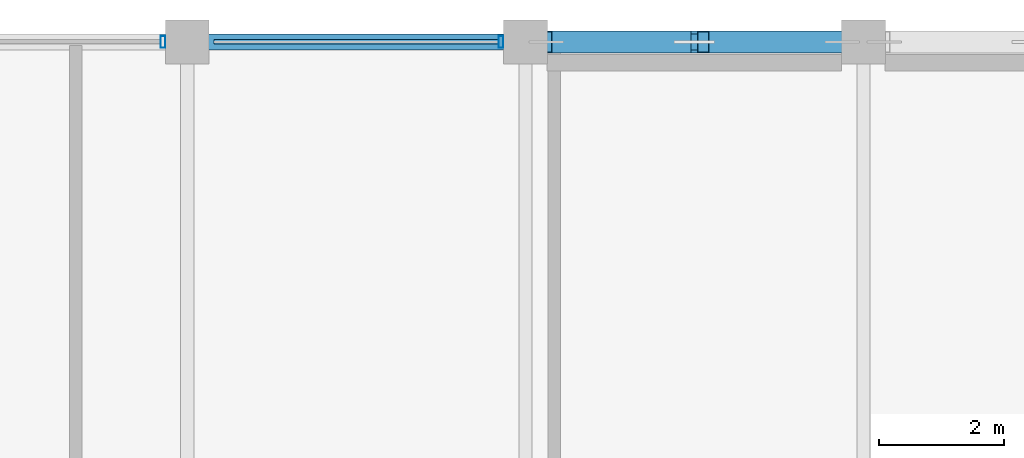
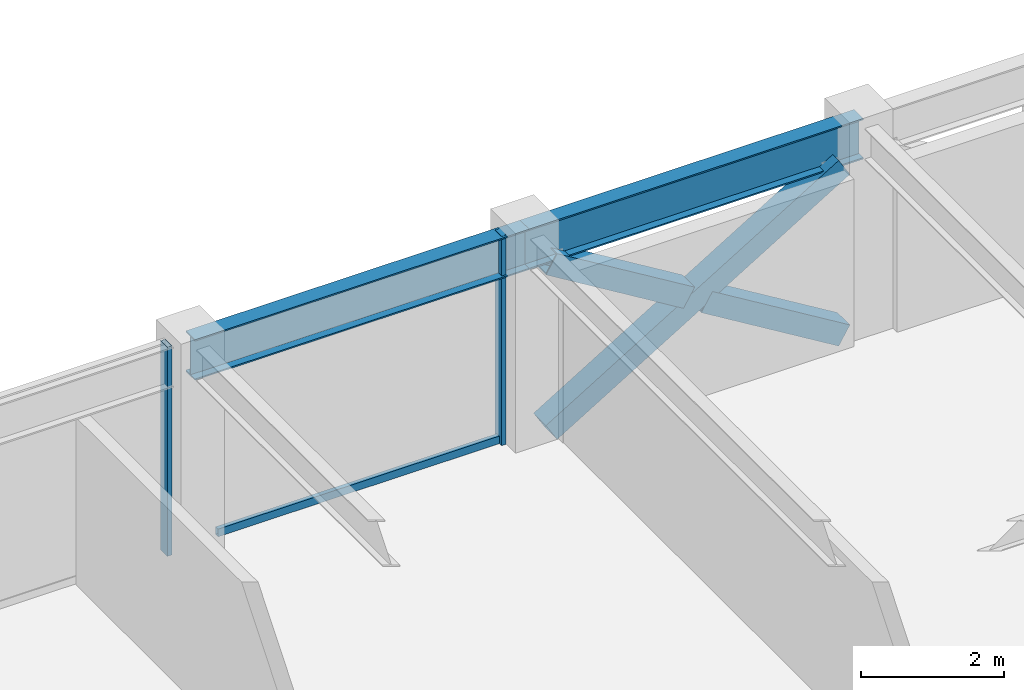
# One storey, part 17 of 31: 6 members, 2 beams, 1 element without a shape of its own.
"""IFC4 building model written with IfcOpenShell, lengths in metres."""

import ifcopenshell
import ifcopenshell.guid

model = None  # the IFC model being written
_history = None  # IfcOwnerHistory: only IFC2X3 demands one
_inside = {}  # id of a spatial element -> (the spatial element, [elements in it])
_under = {}  # id of a project, library or spatial element -> (it, [spatial elements below it])
_declared = {}  # id of a project -> (the project, [libraries it declares])
_typed = {}  # id of a type object -> (the type object, [elements of that type])
_made_of = {}  # id of a material, layer set ... -> (it, [elements and type objects made of it])


def new_model(schema):
    """Start an empty IFC model of exactly this schema.

    Asked for "IFC4X3", IfcOpenShell would pick the latest addendum, in which some entities
    have other attributes; the version numbers below select the first issue.
    IFC2X3 requires an IfcOwnerHistory on every rooted entity: one is made here for all.
    """
    global model, _history
    if schema == "IFC4X3":
        model = ifcopenshell.file(schema_version=(4, 3, 0, 0))
    else:
        model = ifcopenshell.file(schema=schema)
    _inside.clear()
    _under.clear()
    _declared.clear()
    _typed.clear()
    _made_of.clear()
    _history = None
    if model.schema == "IFC2X3":
        org = make("IfcOrganization", Name="unknown")
        user = make(
            "IfcPersonAndOrganization",
            ThePerson=make("IfcPerson", FamilyName="unknown"),
            TheOrganization=org,
        )
        app = make(
            "IfcApplication",
            ApplicationDeveloper=org,
            Version="unknown",
            ApplicationFullName="unknown",
            ApplicationIdentifier="unknown",
        )
        _history = make(
            "IfcOwnerHistory",
            OwningUser=user,
            OwningApplication=app,
            ChangeAction="ADDED",
            CreationDate=0,
        )
    return model


def make(cls, **values):
    """One entity of the class cls with the attributes given. An attribute that is None is left unset."""
    return model.create_entity(
        cls, **{name: value for name, value in values.items() if value is not None}
    )


def rooted(cls, **values):
    """An entity with a GlobalId (a new one), such as an element, a storey or a relation."""
    return make(cls, GlobalId=ifcopenshell.guid.new(), OwnerHistory=_history, **values)


def si_unit(unit_type, name, prefix=None):
    """IfcSIUnit, for example si_unit("LENGTHUNIT", "METRE", prefix="MILLI")."""
    return make("IfcSIUnit", UnitType=unit_type, Prefix=prefix, Name=name)


def assignment(units):
    """IfcUnitAssignment: the units of a project."""
    return None if units is None else make("IfcUnitAssignment", Units=units)


def point(xyz):
    """IfcCartesianPoint."""
    return None if xyz is None else make("IfcCartesianPoint", Coordinates=xyz)


def direction(xyz):
    """IfcDirection."""
    return None if xyz is None else make("IfcDirection", DirectionRatios=xyz)


def frame(location, z_axis=None, x_axis=None):
    """IfcAxis2Placement3D, a coordinate frame: its origin and axes. An axis left out is left unset."""
    return make(
        "IfcAxis2Placement3D",
        Location=point(location),
        Axis=direction(z_axis),
        RefDirection=direction(x_axis),
    )


def frame_2d(location, x_axis=None):
    """IfcAxis2Placement2D, a coordinate frame in the plane: its origin and x axis."""
    return make(
        "IfcAxis2Placement2D", Location=point(location), RefDirection=direction(x_axis)
    )


def origin():
    """The frame at (0, 0, 0) with its axes left unset."""
    return frame((0.0, 0.0, 0.0))


def origin_2d():
    """The frame at (0, 0) in the plane with its x axis left unset."""
    return frame_2d((0.0, 0.0))


def place(relative_to, where):
    """IfcLocalPlacement: puts the frame where relative to a parent placement (None: the world)."""
    return make(
        "IfcLocalPlacement", PlacementRelTo=relative_to, RelativePlacement=where
    )


def context(
    kind, dimensions, precision=None, world=None, true_north=None, identifier=None
):
    """IfcGeometricRepresentationContext, for example the 3D "Model" context."""
    return make(
        "IfcGeometricRepresentationContext",
        ContextIdentifier=identifier,
        ContextType=kind,
        CoordinateSpaceDimension=dimensions,
        Precision=precision,
        WorldCoordinateSystem=world,
        TrueNorth=true_north,
    )


def subcontext(parent, identifier, kind, view, scale=None):
    """IfcGeometricRepresentationSubContext, for example "Body" below "Model"."""
    return make(
        "IfcGeometricRepresentationSubContext",
        ContextIdentifier=identifier,
        ContextType=kind,
        ParentContext=parent,
        TargetScale=scale,
        TargetView=view,
    )


def project(units=None, contexts=None):
    """IfcProject with its units and contexts."""
    return rooted(
        "IfcProject",
        Name="project",
        RepresentationContexts=contexts,
        UnitsInContext=assignment(units),
    )


def spatial(cls, under=None, at=None, **own):
    """A site, building, storey or space (cls), placed at a placement, below another one or the project."""
    s = rooted(cls, ObjectPlacement=at, **own)
    if under is not None:
        _under.setdefault(under.id(), (under, []))[1].append(s)
    return s


def profile(cls, at=None, kind="AREA", **sizes):
    """A parametric profile (cls). Its sizes go by their IFC names, for example OverallWidth=200.0."""
    return make(cls, ProfileType=kind, Position=at, **sizes)


def hollow_rectangle(**sizes):
    """IfcRectangleHollowProfileDef."""
    return profile("IfcRectangleHollowProfileDef", **sizes)


def i_section(**sizes):
    """IfcIShapeProfileDef."""
    return profile("IfcIShapeProfileDef", **sizes)


def extrude(swept, where, along, depth):
    """IfcExtrudedAreaSolid: the profile swept, set in the frame where, extruded along a direction by depth."""
    return make(
        "IfcExtrudedAreaSolid",
        SweptArea=swept,
        Position=where,
        ExtrudedDirection=direction(along),
        Depth=depth,
    )


def shape(context_of_items, identifier, shape_type, items):
    """IfcShapeRepresentation: the items that make up one representation, for example the "Body"."""
    return make(
        "IfcShapeRepresentation",
        ContextOfItems=context_of_items,
        RepresentationIdentifier=identifier,
        RepresentationType=shape_type,
        Items=items,
    )


def material(Name=None, Category=None):
    """IfcMaterial."""
    return make("IfcMaterial", Name=Name, Category=Category)


def layer(
    of_material, thickness, ventilated=None, Name=None, Category=None, Priority=None
):
    """IfcMaterialLayer: one layer of a wall or slab, of a material (None: an air gap)."""
    return make(
        "IfcMaterialLayer",
        Material=of_material,
        LayerThickness=thickness,
        IsVentilated=ventilated,
        Name=Name,
        Category=Category,
        Priority=Priority,
    )


def layer_set(layers, Name=None):
    """IfcMaterialLayerSet."""
    return make("IfcMaterialLayerSet", MaterialLayers=layers, LayerSetName=Name)


def material_profile(
    of_material, cross_section, Name=None, Category=None, Priority=None
):
    """IfcMaterialProfile: a cross section and its material."""
    return make(
        "IfcMaterialProfile",
        Name=Name,
        Material=of_material,
        Profile=cross_section,
        Priority=Priority,
        Category=Category,
    )


def profile_set(profiles, Name=None, composite=None):
    """IfcMaterialProfileSet."""
    return make(
        "IfcMaterialProfileSet",
        Name=Name,
        MaterialProfiles=profiles,
        CompositeProfile=composite,
    )


def made_of(thing, what):
    """Note that an element or type object is made of a material, layer set ...; save() writes the relation."""
    if what is not None:
        _made_of.setdefault(what.id(), (what, []))[1].append(thing)
    return thing


def type_object(cls, material=None, **own):
    """A type object (cls), such as IfcWallType, which elements share."""
    return made_of(rooted(cls, **own), material)


def element(
    cls,
    number,
    at=None,
    inside=None,
    cuts=None,
    type_object=None,
    material=None,
    context=None,
    identifier="Body",
    shape_type=None,
    held_by="IfcProductDefinitionShape",
    body=None,
    shapes=None,
    **own,
):
    """One element of the class cls, such as IfcWall. Its Tag is "e" and its number.

    at: its placement. inside: the storey or other place that contains it. cuts: it is an
    opening in that element (IfcRelVoidsElement). A single representation is given by context,
    identifier, shape_type and body (its items); several are given by shapes. held_by: the class
    of the entity that holds the representations. save() writes the other relations.
    """
    e = rooted(cls, Tag="e%d" % number, ObjectPlacement=at, **own)
    if body is not None:
        shapes = [shape(context, identifier, shape_type, body)]
    if shapes is not None:
        e.Representation = make(held_by, Representations=shapes)
    if inside is not None:
        _inside.setdefault(inside.id(), (inside, []))[1].append(e)
    if cuts is not None:
        rooted(
            "IfcRelVoidsElement", RelatingBuildingElement=cuts, RelatedOpeningElement=e
        )
    if type_object is not None:
        _typed.setdefault(type_object.id(), (type_object, []))[1].append(e)
    return made_of(e, material)


def aggregate(whole, parts):
    """IfcRelAggregates: a whole, such as a stair, and the parts it consists of."""
    return rooted("IfcRelAggregates", RelatingObject=whole, RelatedObjects=parts)


def save(model, path):
    """Write the relations noted so far, then the file.

    IfcRelAggregates (storeys below a building ...), IfcRelContainedInSpatialStructure (elements
    in a storey), IfcRelDefinesByType, IfcRelAssociatesMaterial and IfcRelDeclares: one each for
    every whole, place, type object, material and project.
    """
    for whole, parts in _under.values():
        aggregate(whole, parts)
    for where, things in _inside.values():
        rooted(
            "IfcRelContainedInSpatialStructure",
            RelatedElements=things,
            RelatingStructure=where,
        )
    for kind, things in _typed.values():
        rooted("IfcRelDefinesByType", RelatedObjects=things, RelatingType=kind)
    for what, things in _made_of.values():
        rooted("IfcRelAssociatesMaterial", RelatedObjects=things, RelatingMaterial=what)
    for by, libraries in _declared.values():
        rooted("IfcRelDeclares", RelatingContext=by, RelatedDefinitions=libraries)
    model.write(path)


model = new_model("IFC4")

# Units and contexts
model_context = context("Model", 3, precision=1e-05, world=origin(), true_north=direction((0.0, 1.0)))
body_context = subcontext(model_context, "Body", "Model", "MODEL_VIEW")
ifc_project = project(units=[si_unit("LENGTHUNIT", "METRE"), si_unit("AREAUNIT", "SQUARE_METRE"), si_unit("VOLUMEUNIT", "CUBIC_METRE"), si_unit("PLANEANGLEUNIT", "RADIAN"), si_unit("MASSUNIT", "GRAM", prefix="KILO")], contexts=[model_context])

# Site, building, storey
site_placement = place(None, origin())
site = spatial("IfcSite", under=ifc_project, at=site_placement, CompositionType="ELEMENT")
building_placement = place(site_placement, origin())
building = spatial("IfcBuilding", under=site, at=building_placement, Name="Surkhivell Harbour Commons", CompositionType="ELEMENT")
storey_placement = place(building_placement, frame((0.0, 0.0, 318.75)))
storey = spatial("IfcBuildingStorey", under=building, at=storey_placement, Name="L83", CompositionType="ELEMENT", Elevation=318.75)

# Beams
ifc_material_1 = material(Name="Steel S355", Category="steel")
ifc_material_profile_1 = material_profile(ifc_material_1, i_section(OverallWidth=0.256103515625, OverallDepth=0.693115234375, WebThickness=0.014404296875, FlangeThickness=0.023681640625, at=origin_2d()), Name="UB686x254x170")
ifc_profile_set_1 = profile_set([ifc_material_profile_1], Name="Steel S355")
beam_type = type_object("IfcBeamType", Name="BM-SPN-686", PredefinedType="SPANDREL", material=ifc_profile_set_1)
beam_1_placement = place(storey_placement, frame((-10.800048828125, 25.89990234375, 3.223388671875), z_axis=(1.0, 0.0, 0.0), x_axis=(0.0, 1.0, 0.0)))
element("IfcBeam", 1, at=beam_1_placement, inside=storey, type_object=beam_type, Name="L83 Tube Spandrel (-10.8,25.9)", PredefinedType="SPANDREL", context=body_context, shape_type="SweptSolid", body=[
    extrude(i_section(OverallWidth=0.256103515625, OverallDepth=0.693115234375, WebThickness=0.014404296875, FlangeThickness=0.023681640625, at=origin_2d()), origin(), (0.0, 0.0, 1.0), 5.400146484375),
])
beam_2_placement = place(storey_placement, frame((-5.39990234375, 25.89990234375, 3.223388671875), z_axis=(1.0, 0.0, 0.0), x_axis=(0.0, 1.0, 0.0)))
element("IfcBeam", 2, at=beam_2_placement, inside=storey, type_object=beam_type, Name="L83 Tube Spandrel (-5.4,25.9)", PredefinedType="SPANDREL", context=body_context, shape_type="SweptSolid", body=[
    extrude(i_section(OverallWidth=0.256103515625, OverallDepth=0.693115234375, WebThickness=0.014404296875, FlangeThickness=0.023681640625, at=origin_2d()), origin(), (0.0, 0.0, 1.0), 5.39990234375),
])

# Curtain wall, members
ifc_material_2 = material(Name="Anodised pale-metal aluminium and insulated glazing", Category="aluminium")
ifc_layer = layer(ifc_material_2, 0.175048828125)
ifc_layer_set = layer_set([ifc_layer], Name="Anodised pale-metal aluminium and insulated glazing")
curtain_wall_type = type_object("IfcCurtainWallType", Name="CW-SYS-Z4", PredefinedType="NOTDEFINED", material=ifc_layer_set)
curtain_wall_placement = place(storey_placement, origin())
curtain_wall = element("IfcCurtainWall", 3, at=curtain_wall_placement, inside=storey, type_object=curtain_wall_type, Name="L83 Curtain Wall CW-L83-E07S2", PredefinedType="NOTDEFINED")
ifc_material_3 = material(Name="Anodised pale-metal aluminium alloy 6063-T6", Category="aluminium")
ifc_material_profile_2 = material_profile(ifc_material_3, hollow_rectangle(XDim=0.074951171875, YDim=0.18994140625, WallThickness=0.00390625, at=origin_2d()), Name="ALU-MULL-75x190")
ifc_profile_set_2 = profile_set([ifc_material_profile_2], Name="Anodised pale-metal aluminium alloy 6063-T6")
member_type_1 = type_object("IfcMemberType", Name="CWM-190", PredefinedType="MULLION", material=ifc_profile_set_2)
member_1_placement = place(storey_placement, frame((-5.78955078125, 25.89990234375, 0.0), z_axis=(0.0, 0.0, 1.0), x_axis=(-1.0, 0.0, 0.0)))
member_1 = element("IfcMember", 4, at=member_1_placement, type_object=member_type_1, Name="CW-Z4 mullion 1", PredefinedType="MULLION", context=body_context, shape_type="SweptSolid", body=[
    extrude(hollow_rectangle(XDim=0.074951171875, YDim=0.18994140625, WallThickness=0.00390625, at=origin_2d()), origin(), (0.0, 0.0, 1.0), 3.570068359375),
])
member_2_placement = place(storey_placement, frame((-11.189453125, 25.89990234375, 0.0), z_axis=(0.0, 0.0, 1.0), x_axis=(-1.0, 0.0, 0.0)))
member_2 = element("IfcMember", 5, at=member_2_placement, type_object=member_type_1, Name="CW-Z4 mullion 2", PredefinedType="MULLION", context=body_context, shape_type="SweptSolid", body=[
    extrude(hollow_rectangle(XDim=0.074951171875, YDim=0.18994140625, WallThickness=0.00390625, at=origin_2d()), origin(), (0.0, 0.0, 1.0), 3.570068359375),
])
ifc_material_4 = material(Name="Champagne anodised aluminium alloy 6063-T6", Category="aluminium")
ifc_material_profile_3 = material_profile(ifc_material_4, hollow_rectangle(XDim=0.070068359375, YDim=0.1298828125, WallThickness=0.00341796875, at=origin_2d()), Name="ALU-TRAN-70x130")
ifc_profile_set_3 = profile_set([ifc_material_profile_3], Name="Champagne anodised aluminium alloy 6063-T6")
member_type_2 = type_object("IfcMemberType", Name="CWT-130", PredefinedType="USERDEFINED", material=ifc_profile_set_3)
member_3_placement = place(storey_placement, frame((-5.826904296875, 25.89990234375, 0.06494140625), z_axis=(-1.0, 0.0, 0.0), x_axis=(0.0, -1.0, 0.0)))
member_3 = element("IfcMember", 6, at=member_3_placement, type_object=member_type_2, Name="CW-Z4 transom 1.1", ObjectType="TRANSOM", PredefinedType="USERDEFINED", context=body_context, shape_type="SweptSolid", body=[
    extrude(hollow_rectangle(XDim=0.070068359375, YDim=0.1298828125, WallThickness=0.00341796875, at=origin_2d()), origin(), (0.0, 0.0, 1.0), 4.546142578125),
])
aggregate(curtain_wall, [member_1, member_3, member_2])

# Members
ifc_material_profile_4 = material_profile(ifc_material_1, hollow_rectangle(XDim=0.35009765625, YDim=0.35009765625, WallThickness=0.01611328125, at=origin_2d()), Name="SHS350x350x16")
ifc_profile_set_4 = profile_set([ifc_material_profile_4], Name="Steel S355")
member_type_3 = type_object("IfcMemberType", Name="MEM-BRC-SHS350", PredefinedType="BRACE", material=ifc_profile_set_4)
member_4_placement = place(storey_placement, frame((-5.06494140625, 25.89990234375, 0.008056640625), z_axis=(0.854685454322, 0.0, 0.519146197299), x_axis=(0.0, 1.0, 0.0)))
element("IfcMember", 7, at=member_4_placement, inside=storey, type_object=member_type_3, Name="L83 Perimeter Mega-Brace MB- 01", PredefinedType="BRACE", context=body_context, shape_type="SweptSolid", body=[
    extrude(hollow_rectangle(XDim=0.35009765625, YDim=0.35009765625, WallThickness=0.01611328125, at=origin_2d()), origin(), (0.0, 0.0, 1.0), 5.5341796875),
])
for number, where, z_axis, x_axis, name in (
    (8, (-0.3349609375, 25.89990234375, 0.008056640625), (-0.854678858595, 0.0, 0.51915705588), (0.0, -1.0, 0.0), "L83 Perimeter Mega-Brace MB- 02"),
    (9, (-2.843505859375, 25.89990234375, 1.53173828125), (-0.854678858595, 0.0, 0.51915705588), (0.0, -1.0, 0.0), "L83 Perimeter Mega-Brace MB- 03"),
):
    element("IfcMember", number, at=place(storey_placement, frame(where, z_axis=z_axis, x_axis=x_axis)), inside=storey, type_object=member_type_3, Name=name, PredefinedType="BRACE", context=body_context, shape_type="SweptSolid", body=[
        extrude(hollow_rectangle(XDim=0.35009765625, YDim=0.35009765625, WallThickness=0.01611328125, at=origin_2d()), origin(), (0.0, 0.0, 1.0), 2.59912109375),
    ])

save(model, "model.ifc")
